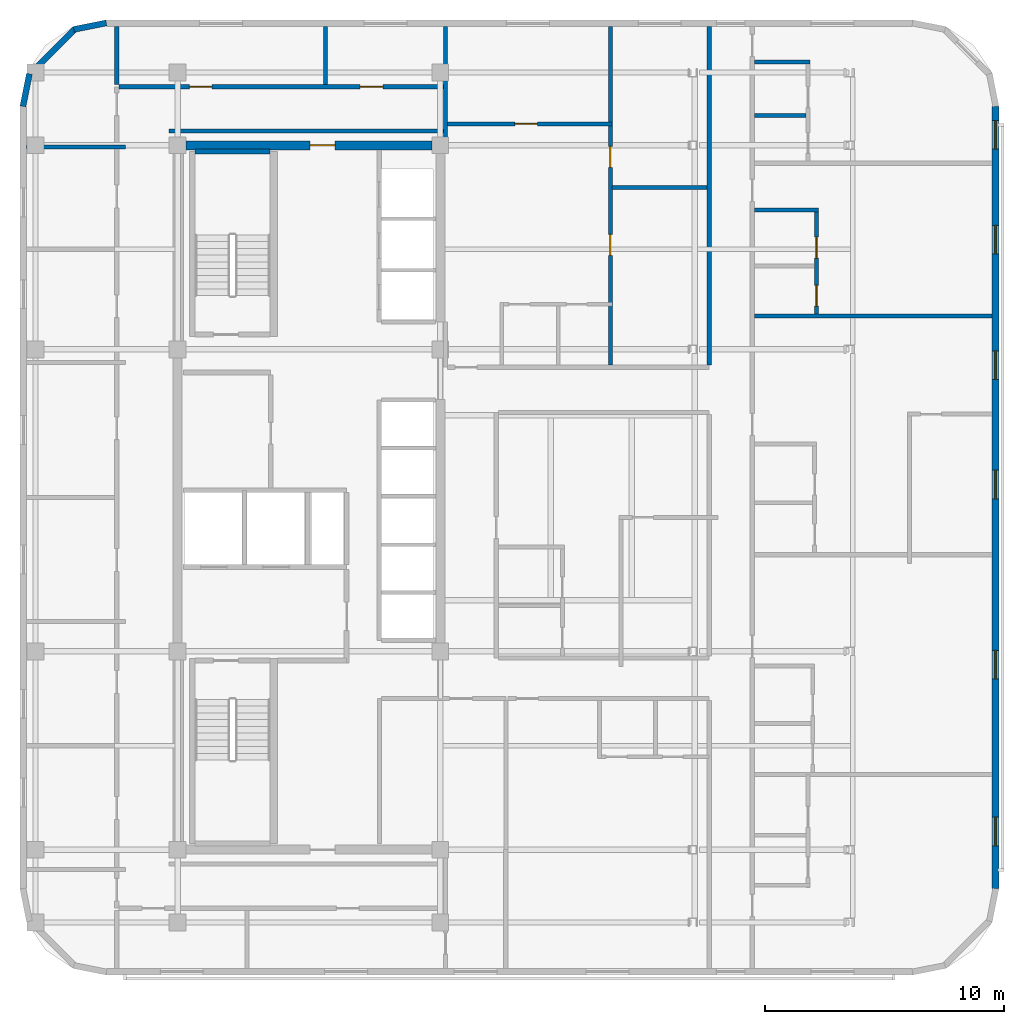
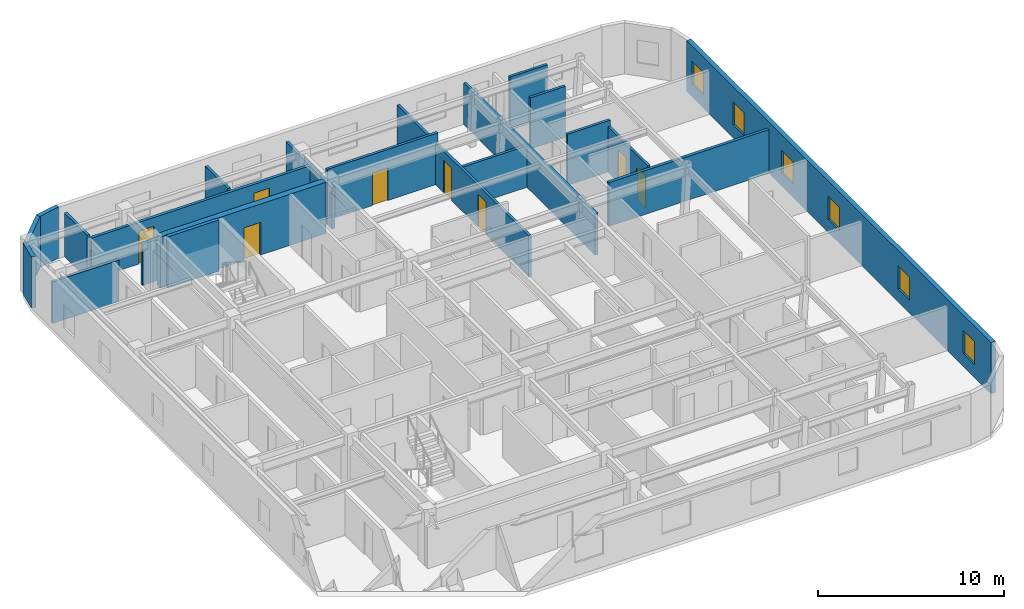
# One storey, part 6 of 10: 21 walls, 8 doors, 6 windows, 14 openings.
"""IFC4 building model written with IfcOpenShell, lengths in metres."""

from ifc_helpers import new_model, si_unit, direction, frame, frame_2d, origin, place, context, subcontext, project, spatial, rectangle, extrude, material, layer, layer_set, type_object, element, fill, save


model = new_model("IFC4")

# Units and contexts
model_context = context("Model", 3, precision=1e-05, world=origin(), true_north=direction((0.0, 1.0)))
body_context = subcontext(model_context, "Body", "Model", "MODEL_VIEW")
ifc_project = project(units=[si_unit("LENGTHUNIT", "METRE"), si_unit("AREAUNIT", "SQUARE_METRE"), si_unit("VOLUMEUNIT", "CUBIC_METRE"), si_unit("PLANEANGLEUNIT", "RADIAN"), si_unit("MASSUNIT", "GRAM", prefix="KILO")], contexts=[model_context])

# Site, building, storey
site_placement = place(None, origin())
site = spatial("IfcSite", under=ifc_project, at=site_placement, CompositionType="ELEMENT")
building_placement = place(site_placement, origin())
building = spatial("IfcBuilding", under=site, at=building_placement, Name="Ochreholt Gables", CompositionType="ELEMENT")
storey_placement = place(building_placement, frame((0.0, 0.0, 166.199951171875)))
storey = spatial("IfcBuildingStorey", under=building, at=storey_placement, Name="L43", CompositionType="ELEMENT", Elevation=166.199951171875)

# Wall, opening, door
ifc_material_1 = material(Name="Concrete 50 MPa", Category="concrete")
ifc_layer_1 = layer(ifc_material_1, 0.3798828125, Name="Concrete 50 MPa")
ifc_layer_set_1 = layer_set([ifc_layer_1], Name="Concrete 50 MPa")
wall_type_1 = type_object("IfcWallType", Name="WALL-CSW-380", PredefinedType="SHEAR", material=ifc_layer_set_1)
wall_1_placement = place(storey_placement, frame((24.550048828125, 38.75, 0.0), z_axis=(0.0, 0.0, 1.0), x_axis=(1.0, 0.0, 0.0)))
wall_1 = element("IfcWall", 1, at=wall_1_placement, inside=storey, type_object=wall_type_1, Name="L43 Core North Shear Wall", PredefinedType="SHEAR", context=body_context, shape_type="SweptSolid", body=[
    extrude(rectangle(XDim=10.300048828125, YDim=0.3798828125, at=frame_2d((5.14990234375, 0.0))), origin(), (0.0, 0.0, 1.0), 3.360107421875),
])
opening_1_placement = place(wall_1_placement, frame((5.199951171875, 0.0, 0.0)))
opening_1 = element("IfcOpeningElement", 2, at=opening_1_placement, cuts=wall_1, Name="Opening D-FLB", PredefinedType="OPENING", context=body_context, shape_type="SweptSolid", body=[
    extrude(rectangle(XDim=1.050048828125, YDim=2.14990234375, at=frame_2d((0.52490234375, 1.074951171875))), frame((0.0, 0.199951171875, 0.0), z_axis=(0.0, -1.0, 0.0), x_axis=(1.0, 0.0, 0.0)), (0.0, 0.0, 1.0), 0.39990234375),
])
ifc_material_2 = material(Name="Hollow Metal Steel", Category="steel")
door_type_1 = type_object("IfcDoorType", Name="DR-INT-FLB1050", OperationType="NOTDEFINED", PredefinedType="DOOR", material=ifc_material_2)
door_1_placement = place(opening_1_placement, frame((1.050048828125, 0.0, 0.0), z_axis=(0.0, 0.0, 1.0), x_axis=(-1.0, 0.0, 0.0)))
door_1 = element("IfcDoor", 3, at=door_1_placement, inside=storey, type_object=door_type_1, Name="L43 Door D-C2CRN-L43", OperationType="SINGLE_SWING_RIGHT", OverallHeight=2.14990234375, OverallWidth=1.050048828125, PredefinedType="DOOR", context=body_context, shape_type="SweptSolid", body=[
    extrude(rectangle(XDim=1.050048828125, YDim=2.14990234375, at=frame_2d((0.52490234375, 1.074951171875))), frame((0.0, 0.02490234375, 0.0), z_axis=(0.0, -1.0, 0.0), x_axis=(1.0, 0.0, 0.0)), (0.0, 0.0, 1.0), 0.050048828125),
])
fill(opening_1, door_1)

# Wall, openings, windows
ifc_material_3 = material(Name="Precast concrete 40 MPa", Category="concrete")
ifc_layer_2 = layer(ifc_material_3, 0.280029296875, Name="Precast concrete 40 MPa")
ifc_layer_set_2 = layer_set([ifc_layer_2], Name="Precast concrete 40 MPa")
wall_type_2 = type_object("IfcWallType", Name="WALL-EXT-280", PredefinedType="SOLIDWALL", material=ifc_layer_set_2)
wall_2_placement = place(storey_placement, frame((58.4599609375, 7.6201171875, 0.0), z_axis=(0.0, 0.0, 1.0), x_axis=(0.0, 1.0, 0.0)))
wall_2 = element("IfcWall", 4, at=wall_2_placement, inside=storey, type_object=wall_type_2, Name="L43 East Exterior Wall", PredefinedType="SOLIDWALL", context=body_context, shape_type="SweptSolid", body=[
    extrude(rectangle(XDim=32.759765625, YDim=0.280029296875, at=frame_2d((16.3798828125, 0.0))), origin(), (0.0, 0.0, 1.0), 3.360107421875),
])
opening_2_placement = place(wall_2_placement, frame((1.7900390625, 0.0, 0.85009765625)))
opening_2 = element("IfcOpeningElement", 5, at=opening_2_placement, cuts=wall_2, Name="Opening WN-3", PredefinedType="OPENING", context=body_context, shape_type="SweptSolid", body=[
    extrude(rectangle(XDim=1.199951171875, YDim=1.5, at=frame_2d((0.60009765625, 0.75))), frame((0.0, 0.14990234375, 0.0), z_axis=(0.0, -1.0, 0.0), x_axis=(1.0, 0.0, 0.0)), (0.0, 0.0, 1.0), 0.300048828125),
])
opening_3_placement = place(wall_2_placement, frame((8.780029296875, 0.0, 0.85009765625)))
opening_3 = element("IfcOpeningElement", 6, at=opening_3_placement, cuts=wall_2, Name="Opening WN-3", PredefinedType="OPENING", context=body_context, shape_type="SweptSolid", body=[
    extrude(rectangle(XDim=1.199951171875, YDim=1.5, at=frame_2d((0.60009765625, 0.75))), frame((0.0, 0.14990234375, 0.0), z_axis=(0.0, -1.0, 0.0), x_axis=(1.0, 0.0, 0.0)), (0.0, 0.0, 1.0), 0.300048828125),
])
opening_4_placement = place(wall_2_placement, frame((16.324951171875, 0.0, 0.85009765625)))
opening_4 = element("IfcOpeningElement", 7, at=opening_4_placement, cuts=wall_2, Name="Opening WN-3", PredefinedType="OPENING", context=body_context, shape_type="SweptSolid", body=[
    extrude(rectangle(XDim=1.199951171875, YDim=1.5, at=frame_2d((0.60009765625, 0.75))), frame((0.0, 0.14990234375, 0.0), z_axis=(0.0, -1.0, 0.0), x_axis=(1.0, 0.0, 0.0)), (0.0, 0.0, 1.0), 0.300048828125),
])
opening_5_placement = place(wall_2_placement, frame((21.324951171875, 0.0, 0.85009765625)))
opening_5 = element("IfcOpeningElement", 8, at=opening_5_placement, cuts=wall_2, Name="Opening WN-3", PredefinedType="OPENING", context=body_context, shape_type="SweptSolid", body=[
    extrude(rectangle(XDim=1.199951171875, YDim=1.5, at=frame_2d((0.60009765625, 0.75))), frame((0.0, 0.14990234375, 0.0), z_axis=(0.0, -1.0, 0.0), x_axis=(1.0, 0.0, 0.0)), (0.0, 0.0, 1.0), 0.300048828125),
])
opening_6_placement = place(wall_2_placement, frame((26.580078125, 0.0, 0.85009765625)))
opening_6 = element("IfcOpeningElement", 9, at=opening_6_placement, cuts=wall_2, Name="Opening WN-3", PredefinedType="OPENING", context=body_context, shape_type="SweptSolid", body=[
    extrude(rectangle(XDim=1.199951171875, YDim=1.5, at=frame_2d((0.60009765625, 0.75))), frame((0.0, 0.14990234375, 0.0), z_axis=(0.0, -1.0, 0.0), x_axis=(1.0, 0.0, 0.0)), (0.0, 0.0, 1.0), 0.300048828125),
])
opening_7_placement = place(wall_2_placement, frame((30.969970703125, 0.0, 0.85009765625)))
opening_7 = element("IfcOpeningElement", 10, at=opening_7_placement, cuts=wall_2, Name="Opening WN-3", PredefinedType="OPENING", context=body_context, shape_type="SweptSolid", body=[
    extrude(rectangle(XDim=1.199951171875, YDim=1.5, at=frame_2d((0.60009765625, 0.75))), frame((0.0, 0.14990234375, 0.0), z_axis=(0.0, -1.0, 0.0), x_axis=(1.0, 0.0, 0.0)), (0.0, 0.0, 1.0), 0.300048828125),
])
ifc_material_4 = material(Name="Triple-Glazed Thermally Broken Aluminium Window", Category="aluminium")
window_type = type_object("IfcWindowType", Name="WIN-RES-1200", PartitioningType="SINGLE_PANEL", PredefinedType="WINDOW", material=ifc_material_4)
window_1_placement = place(opening_2_placement, origin())
window_1 = element("IfcWindow", 11, at=window_1_placement, inside=storey, type_object=window_type, Name="L43 Window W-EXT-E-L43-1", OverallHeight=1.5, OverallWidth=1.199951171875, PartitioningType="SINGLE_PANEL", PredefinedType="WINDOW", context=body_context, shape_type="SweptSolid", body=[
    extrude(rectangle(XDim=1.199951171875, YDim=1.5, at=frame_2d((0.60009765625, 0.75))), frame((0.0, 0.030029296875, 0.0), z_axis=(0.0, -1.0, 0.0), x_axis=(1.0, 0.0, 0.0)), (0.0, 0.0, 1.0), 0.06005859375),
])
fill(opening_2, window_1)
window_2_placement = place(opening_3_placement, origin())
window_2 = element("IfcWindow", 12, at=window_2_placement, inside=storey, type_object=window_type, Name="L43 Window W-EXT-E-L43-2", OverallHeight=1.5, OverallWidth=1.199951171875, PartitioningType="SINGLE_PANEL", PredefinedType="WINDOW", context=body_context, shape_type="SweptSolid", body=[
    extrude(rectangle(XDim=1.199951171875, YDim=1.5, at=frame_2d((0.60009765625, 0.75))), frame((0.0, 0.030029296875, 0.0), z_axis=(0.0, -1.0, 0.0), x_axis=(1.0, 0.0, 0.0)), (0.0, 0.0, 1.0), 0.06005859375),
])
fill(opening_3, window_2)
window_3_placement = place(opening_4_placement, origin())
window_3 = element("IfcWindow", 13, at=window_3_placement, inside=storey, type_object=window_type, Name="L43 Window W-EXT-E-L43-3", OverallHeight=1.5, OverallWidth=1.199951171875, PartitioningType="SINGLE_PANEL", PredefinedType="WINDOW", context=body_context, shape_type="SweptSolid", body=[
    extrude(rectangle(XDim=1.199951171875, YDim=1.5, at=frame_2d((0.60009765625, 0.75))), frame((0.0, 0.030029296875, 0.0), z_axis=(0.0, -1.0, 0.0), x_axis=(1.0, 0.0, 0.0)), (0.0, 0.0, 1.0), 0.06005859375),
])
fill(opening_4, window_3)
window_4_placement = place(opening_5_placement, origin())
window_4 = element("IfcWindow", 14, at=window_4_placement, inside=storey, type_object=window_type, Name="L43 Window W-EXT-E-L43-4", OverallHeight=1.5, OverallWidth=1.199951171875, PartitioningType="SINGLE_PANEL", PredefinedType="WINDOW", context=body_context, shape_type="SweptSolid", body=[
    extrude(rectangle(XDim=1.199951171875, YDim=1.5, at=frame_2d((0.60009765625, 0.75))), frame((0.0, 0.030029296875, 0.0), z_axis=(0.0, -1.0, 0.0), x_axis=(1.0, 0.0, 0.0)), (0.0, 0.0, 1.0), 0.06005859375),
])
fill(opening_5, window_4)
window_5_placement = place(opening_6_placement, origin())
window_5 = element("IfcWindow", 15, at=window_5_placement, inside=storey, type_object=window_type, Name="L43 Window W-EXT-E-L43-5", OverallHeight=1.5, OverallWidth=1.199951171875, PartitioningType="SINGLE_PANEL", PredefinedType="WINDOW", context=body_context, shape_type="SweptSolid", body=[
    extrude(rectangle(XDim=1.199951171875, YDim=1.5, at=frame_2d((0.60009765625, 0.75))), frame((0.0, 0.030029296875, 0.0), z_axis=(0.0, -1.0, 0.0), x_axis=(1.0, 0.0, 0.0)), (0.0, 0.0, 1.0), 0.06005859375),
])
fill(opening_6, window_5)
window_6_placement = place(opening_7_placement, origin())
window_6 = element("IfcWindow", 16, at=window_6_placement, inside=storey, type_object=window_type, Name="L43 Window W-EXT-E-L43-6", OverallHeight=1.5, OverallWidth=1.199951171875, PartitioningType="SINGLE_PANEL", PredefinedType="WINDOW", context=body_context, shape_type="SweptSolid", body=[
    extrude(rectangle(XDim=1.199951171875, YDim=1.5, at=frame_2d((0.60009765625, 0.75))), frame((0.0, 0.030029296875, 0.0), z_axis=(0.0, -1.0, 0.0), x_axis=(1.0, 0.0, 0.0)), (0.0, 0.0, 1.0), 0.06005859375),
])
fill(opening_7, window_6)

# Walls
ifc_layer_3 = layer(ifc_material_3, 0.25, Name="Precast concrete 40 MPa")
ifc_layer_set_3 = layer_set([ifc_layer_3], Name="Precast concrete 40 MPa")
wall_type_3 = type_object("IfcWallType", Name="WALL-EXT-CNR", PredefinedType="SOLIDWALL", material=ifc_layer_set_3)
wall_3_placement = place(storey_placement, frame((21.216552734375, 43.875732421875, 0.0), z_axis=(0.0, 0.0, 1.0), x_axis=(-0.980809899341, -0.19496651342, 0.0)))
element("IfcWall", 17, at=wall_3_placement, inside=storey, type_object=wall_type_3, Name="L43 Rounded Corner Wall NW-1", PredefinedType="SOLIDWALL", context=body_context, shape_type="SweptSolid", body=[
    extrude(rectangle(XDim=1.388671875, YDim=0.25, at=frame_2d((0.6943359375, 0.0))), origin(), (0.0, 0.0, 1.0), 3.360107421875),
])
wall_4_placement = place(storey_placement, frame((19.905029296875, 43.632080078125, 0.0), z_axis=(0.0, 0.0, 1.0), x_axis=(-0.707106781187, -0.707106781187, 0.0)))
element("IfcWall", 18, at=wall_4_placement, inside=storey, type_object=wall_type_3, Name="L43 Rounded Corner Wall NW-2", PredefinedType="SOLIDWALL", context=body_context, shape_type="SweptSolid", body=[
    extrude(rectangle(XDim=2.7392578125, YDim=0.25, at=frame_2d((1.36962890625, 0.0))), origin(), (0.0, 0.0, 1.0), 3.360107421875),
])
wall_5_placement = place(storey_placement, frame((17.9951171875, 41.74560546875, 0.0), z_axis=(0.0, 0.0, 1.0), x_axis=(-0.195135625965, -0.9807762678, 0.0)))
element("IfcWall", 19, at=wall_5_placement, inside=storey, type_object=wall_type_3, Name="L43 Rounded Corner Wall NW-3", PredefinedType="SOLIDWALL", context=body_context, shape_type="SweptSolid", body=[
    extrude(rectangle(XDim=1.388671875, YDim=0.25, at=frame_2d((0.6943359375, 0.0))), origin(), (0.0, 0.0, 1.0), 3.360107421875),
])

# Wall, openings, doors
ifc_material_5 = material(Name="Fire-Rated Gypsum Acoustic Partition", Category="gypsum")
ifc_layer_4 = layer(ifc_material_5, 0.179931640625, Name="Fire-Rated Gypsum Acoustic Partition")
ifc_layer_set_4 = layer_set([ifc_layer_4], Name="Fire-Rated Gypsum Acoustic Partition")
wall_type_4 = type_object("IfcWallType", Name="WALL-INT-CR180", PredefinedType="STANDARD", material=ifc_layer_set_4)
wall_6_placement = place(storey_placement, frame((21.739990234375, 41.199951171875, 0.0), z_axis=(0.0, 0.0, 1.0), x_axis=(1.0, 0.0, 0.0)))
wall_6 = element("IfcWall", 20, at=wall_6_placement, inside=storey, type_object=wall_type_4, Name="L43 Interior Wall WI-C2WCN-L43", PredefinedType="STANDARD", context=body_context, shape_type="SweptSolid", body=[
    extrude(rectangle(XDim=13.679931640625, YDim=0.179931640625, at=frame_2d((6.83984375, 0.0))), origin(), (0.0, 0.0, 1.0), 2.72998046875),
])
opening_8_placement = place(wall_6_placement, frame((2.949951171875, 0.0, 0.0)))
opening_8 = element("IfcOpeningElement", 21, at=opening_8_placement, cuts=wall_6, Name="Opening D-GN1", PredefinedType="OPENING", context=body_context, shape_type="SweptSolid", body=[
    extrude(rectangle(XDim=0.949951171875, YDim=2.14990234375, at=frame_2d((0.47509765625, 1.074951171875))), frame((0.0, 0.099853515625, 0.0), z_axis=(0.0, -1.0, 0.0), x_axis=(1.0, 0.0, 0.0)), (0.0, 0.0, 1.0), 0.199951171875),
])
opening_9_placement = place(wall_6_placement, frame((10.110107421875, 0.0, 0.0)))
opening_9 = element("IfcOpeningElement", 22, at=opening_9_placement, cuts=wall_6, Name="Opening D-GN1", PredefinedType="OPENING", context=body_context, shape_type="SweptSolid", body=[
    extrude(rectangle(XDim=0.949951171875, YDim=2.14990234375, at=frame_2d((0.47509765625, 1.074951171875))), frame((0.0, 0.099853515625, 0.0), z_axis=(0.0, -1.0, 0.0), x_axis=(1.0, 0.0, 0.0)), (0.0, 0.0, 1.0), 0.199951171875),
])
ifc_material_6 = material(Name="Engineered Oak Timber", Category="wood")
door_type_2 = type_object("IfcDoorType", Name="DR-INT-GEN950", OperationType="NOTDEFINED", PredefinedType="DOOR", material=ifc_material_6)
door_2_placement = place(opening_8_placement, origin())
door_2 = element("IfcDoor", 23, at=door_2_placement, inside=storey, type_object=door_type_2, Name="L43 Door D-C2NRS1-L43", OperationType="SINGLE_SWING_RIGHT", OverallHeight=2.14990234375, OverallWidth=0.949951171875, PredefinedType="DOOR", context=body_context, shape_type="SweptSolid", body=[
    extrude(rectangle(XDim=0.949951171875, YDim=2.14990234375, at=frame_2d((0.47509765625, 1.074951171875))), frame((0.0, 0.02490234375, 0.0), z_axis=(0.0, -1.0, 0.0), x_axis=(1.0, 0.0, 0.0)), (0.0, 0.0, 1.0), 0.050048828125),
])
fill(opening_8, door_2)
door_3_placement = place(opening_9_placement, origin())
door_3 = element("IfcDoor", 24, at=door_3_placement, inside=storey, type_object=door_type_2, Name="L43 Door D-C2NRS2-L43", OperationType="SINGLE_SWING_LEFT", OverallHeight=2.14990234375, OverallWidth=0.949951171875, PredefinedType="DOOR", context=body_context, shape_type="SweptSolid", body=[
    extrude(rectangle(XDim=0.949951171875, YDim=2.14990234375, at=frame_2d((0.47509765625, 1.074951171875))), frame((0.0, 0.02490234375, 0.0), z_axis=(0.0, -1.0, 0.0), x_axis=(1.0, 0.0, 0.0)), (0.0, 0.0, 1.0), 0.050048828125),
])
fill(opening_9, door_3)

# Walls
wall_7_placement = place(storey_placement, frame((23.85009765625, 39.35009765625, 0.0), z_axis=(0.0, 0.0, 1.0), x_axis=(1.0, 0.0, 0.0)))
element("IfcWall", 25, at=wall_7_placement, inside=storey, type_object=wall_type_4, Name="L43 Interior Wall WI-C2WCN2-L43", PredefinedType="STANDARD", context=body_context, shape_type="SweptSolid", body=[
    extrude(rectangle(XDim=11.56982421875, YDim=0.179931640625, at=frame_2d((5.784912109375, 0.0))), origin(), (0.0, 0.0, 1.0), 2.72998046875),
])
wall_8_placement = place(storey_placement, frame((46.466064453125, 29.550048828125, 0.0), z_axis=(0.0, 0.0, 1.0), x_axis=(0.0, 1.0, 0.0)))
element("IfcWall", 26, at=wall_8_placement, inside=storey, type_object=wall_type_4, Name="L43 Interior Wall WI-C2FEGW3-L43", PredefinedType="STANDARD", context=body_context, shape_type="SweptSolid", body=[
    extrude(rectangle(XDim=14.169921875, YDim=0.179931640625, at=frame_2d((7.0849609375, 0.0))), origin(), (0.0, 0.0, 1.0), 2.72998046875),
])
ifc_material_7 = material(Name="Double-Stud Acoustic Demising Wall", Category="gypsum")
ifc_layer_5 = layer(ifc_material_7, 0.179931640625, Name="Double-Stud Acoustic Demising Wall")
ifc_layer_set_5 = layer_set([ifc_layer_5], Name="Double-Stud Acoustic Demising Wall")
wall_type_5 = type_object("IfcWallType", Name="WALL-INT-DM180", PredefinedType="PARTITIONING", material=ifc_layer_set_5)
wall_9_placement = place(storey_placement, frame((21.64990234375, 41.2900390625, 0.0), z_axis=(0.0, 0.0, 1.0), x_axis=(0.0, 1.0, 0.0)))
element("IfcWall", 27, at=wall_9_placement, inside=storey, type_object=wall_type_5, Name="L43 Interior Wall WI-C2WWN-L43", PredefinedType="PARTITIONING", context=body_context, shape_type="SweptSolid", body=[
    extrude(rectangle(XDim=2.429931640625, YDim=0.179931640625, at=frame_2d((1.21484375, 0.0))), origin(), (0.0, 0.0, 1.0), 2.879150390625),
])
wall_10_placement = place(storey_placement, frame((35.419921875, 38.75, 0.0), z_axis=(0.0, 0.0, 1.0), x_axis=(0.0, 1.0, 0.0)))
element("IfcWall", 28, at=wall_10_placement, inside=storey, type_object=wall_type_5, Name="L43 Interior Wall WI-C2NEN-L43", PredefinedType="PARTITIONING", context=body_context, shape_type="SweptSolid", body=[
    extrude(rectangle(XDim=4.969970703125, YDim=0.179931640625, at=frame_2d((2.48486328125, 0.0))), origin(), (0.0, 0.0, 1.0), 2.72998046875),
])
wall_11_placement = place(storey_placement, frame((48.35595703125, 31.60009765625, 0.0), z_axis=(0.0, 0.0, 1.0), x_axis=(1.0, 0.0, 0.0)))
element("IfcWall", 29, at=wall_11_placement, inside=storey, type_object=wall_type_5, Name="L43 Interior Wall WI-C2FED4-L43", PredefinedType="PARTITIONING", context=body_context, shape_type="SweptSolid", body=[
    extrude(rectangle(XDim=9.964111328125, YDim=0.179931640625, at=frame_2d((4.98193359375, 0.0))), origin(), (0.0, 0.0, 1.0), 2.879150390625),
])
ifc_material_8 = material(Name="Moisture-Resistant Plumbing Chase Wall", Category="gypsum")
ifc_layer_6 = layer(ifc_material_8, 0.159912109375, Name="Moisture-Resistant Plumbing Chase Wall")
ifc_layer_set_6 = layer_set([ifc_layer_6], Name="Moisture-Resistant Plumbing Chase Wall")
wall_type_6 = type_object("IfcWallType", Name="WALL-INT-PL160", PredefinedType="PLUMBINGWALL", material=ifc_layer_set_6)
wall_12_placement = place(storey_placement, frame((48.35595703125, 36.0400390625, 0.0), z_axis=(0.0, 0.0, 1.0), x_axis=(1.0, 0.0, 0.0)))
element("IfcWall", 30, at=wall_12_placement, inside=storey, type_object=wall_type_6, Name="L43 Interior Wall WU-L43FE4-WYN", PredefinedType="PLUMBINGWALL", context=body_context, shape_type="SweptSolid", body=[
    extrude(rectangle(XDim=2.68212890625, YDim=0.159912109375, at=frame_2d((1.341064453125, 0.0))), origin(), (0.0, 0.0, 1.0), 3.360107421875),
])

# Wall, openings, doors
wall_13_placement = place(storey_placement, frame((50.9580078125, 31.68994140625, 0.0), z_axis=(0.0, 0.0, 1.0), x_axis=(0.0, 1.0, 0.0)))
wall_13 = element("IfcWall", 31, at=wall_13_placement, inside=storey, type_object=wall_type_6, Name="L43 Interior Wall WU-L43FE4-WX", PredefinedType="PLUMBINGWALL", context=body_context, shape_type="SweptSolid", body=[
    extrude(rectangle(XDim=4.43994140625, YDim=0.159912109375, at=frame_2d((2.219970703125, 0.0))), origin(), (0.0, 0.0, 1.0), 2.984130859375),
])
opening_10_placement = place(wall_13_placement, frame((0.330078125, 0.0, 0.0)))
opening_10 = element("IfcOpeningElement", 32, at=opening_10_placement, cuts=wall_13, Name="Opening D-BT1", PredefinedType="OPENING", context=body_context, shape_type="SweptSolid", body=[
    extrude(rectangle(XDim=0.860107421875, YDim=2.1201171875, at=frame_2d((0.43017578125, 1.06005859375))), frame((0.0, 0.08984375, 0.0), z_axis=(0.0, -1.0, 0.0), x_axis=(1.0, 0.0, 0.0)), (0.0, 0.0, 1.0), 0.179931640625),
])
opening_11_placement = place(wall_13_placement, frame((2.3310546875, 0.0, 0.0)))
opening_11 = element("IfcOpeningElement", 33, at=opening_11_placement, cuts=wall_13, Name="Opening D-GN2", PredefinedType="OPENING", context=body_context, shape_type="SweptSolid", body=[
    extrude(rectangle(XDim=0.8798828125, YDim=2.1201171875, at=frame_2d((0.43994140625, 1.06005859375))), frame((0.0, 0.08984375, 0.0), z_axis=(0.0, -1.0, 0.0), x_axis=(1.0, 0.0, 0.0)), (0.0, 0.0, 1.0), 0.179931640625),
])
door_type_3 = type_object("IfcDoorType", Name="DR-INT-BTH860", OperationType="NOTDEFINED", PredefinedType="DOOR", material=ifc_material_6)
door_4_placement = place(opening_10_placement, origin())
door_4 = element("IfcDoor", 34, at=door_4_placement, inside=storey, type_object=door_type_3, Name="L43 Door D-U-L43FE4-BTH", OperationType="SINGLE_SWING_LEFT", OverallHeight=2.1201171875, OverallWidth=0.860107421875, PredefinedType="DOOR", context=body_context, shape_type="SweptSolid", body=[
    extrude(rectangle(XDim=0.860107421875, YDim=2.1201171875, at=frame_2d((0.43017578125, 1.06005859375))), frame((0.0, 0.02490234375, 0.0), z_axis=(0.0, -1.0, 0.0), x_axis=(1.0, 0.0, 0.0)), (0.0, 0.0, 1.0), 0.050048828125),
])
fill(opening_10, door_4)
door_type_4 = type_object("IfcDoorType", Name="DR-INT-GEN880", OperationType="NOTDEFINED", PredefinedType="DOOR", material=ifc_material_6)
door_5_placement = place(opening_11_placement, origin())
door_5 = element("IfcDoor", 35, at=door_5_placement, inside=storey, type_object=door_type_4, Name="L43 Door D-U-L43FE4-KIT", OperationType="SINGLE_SWING_RIGHT", OverallHeight=2.1201171875, OverallWidth=0.8798828125, PredefinedType="DOOR", context=body_context, shape_type="SweptSolid", body=[
    extrude(rectangle(XDim=0.8798828125, YDim=2.1201171875, at=frame_2d((0.43994140625, 1.06005859375))), frame((0.0, 0.02490234375, 0.0), z_axis=(0.0, -1.0, 0.0), x_axis=(1.0, 0.0, 0.0)), (0.0, 0.0, 1.0), 0.050048828125),
])
fill(opening_11, door_5)

# Walls
wall_14_placement = place(storey_placement, frame((48.35595703125, 42.239990234375, 0.0), z_axis=(0.0, 0.0, 1.0), x_axis=(1.0, 0.0, 0.0)))
element("IfcWall", 36, at=wall_14_placement, inside=storey, type_object=wall_type_6, Name="L43 Interior Wall WU-L43FE5-WYN", PredefinedType="PLUMBINGWALL", context=body_context, shape_type="SweptSolid", body=[
    extrude(rectangle(XDim=2.330078125, YDim=0.159912109375, at=frame_2d((1.1650390625, 0.0))), origin(), (0.0, 0.0, 1.0), 3.360107421875),
])
wall_15_placement = place(storey_placement, frame((48.35595703125, 39.9990234375, 0.0), z_axis=(0.0, 0.0, 1.0), x_axis=(1.0, 0.0, 0.0)))
element("IfcWall", 37, at=wall_15_placement, inside=storey, type_object=wall_type_6, Name="L43 Interior Wall WU-L43FE5-WM", PredefinedType="PLUMBINGWALL", context=body_context, shape_type="SweptSolid", body=[
    extrude(rectangle(XDim=2.169921875, YDim=0.159912109375, at=frame_2d((1.0849609375, 0.0))), origin(), (0.0, 0.0, 1.0), 3.360107421875),
])

# Wall, openings, doors
ifc_material_9 = material(Name="Gypsum Acoustic Stud Partition", Category="gypsum")
ifc_layer_7 = layer(ifc_material_9, 0.1650390625, Name="Gypsum Acoustic Stud Partition")
ifc_layer_set_7 = layer_set([ifc_layer_7], Name="Gypsum Acoustic Stud Partition")
wall_type_7 = type_object("IfcWallType", Name="WALL-INT-PT165", PredefinedType="PARTITIONING", material=ifc_layer_set_7)
wall_16_placement = place(storey_placement, frame((42.325927734375, 29.550048828125, 0.0), z_axis=(0.0, 0.0, 1.0), x_axis=(0.0, 1.0, 0.0)))
wall_16 = element("IfcWall", 38, at=wall_16_placement, inside=storey, type_object=wall_type_7, Name="L43 Interior Wall WU-L43N1-MNX", PredefinedType="PARTITIONING", context=body_context, shape_type="SweptSolid", body=[
    extrude(rectangle(XDim=14.169921875, YDim=0.1650390625, at=frame_2d((7.0849609375, 0.0))), origin(), (0.0, 0.0, 1.0), 2.72998046875),
])
opening_12_placement = place(wall_16_placement, frame((4.592529296875, 0.0, 0.0)))
opening_12 = element("IfcOpeningElement", 39, at=opening_12_placement, cuts=wall_16, Name="Opening D-BD2", PredefinedType="OPENING", context=body_context, shape_type="SweptSolid", body=[
    extrude(rectangle(XDim=0.8798828125, YDim=2.139892578125, at=frame_2d((0.43994140625, 1.06982421875))), frame((0.0, 0.092529296875, 0.0), z_axis=(0.0, -1.0, 0.0), x_axis=(1.0, 0.0, 0.0)), (0.0, 0.0, 1.0), 0.18505859375),
])
opening_13_placement = place(wall_16_placement, frame((8.280029296875, 0.0, 0.0)))
opening_13 = element("IfcOpeningElement", 40, at=opening_13_placement, cuts=wall_16, Name="Opening D-GN2", PredefinedType="OPENING", context=body_context, shape_type="SweptSolid", body=[
    extrude(rectangle(XDim=0.8798828125, YDim=2.1201171875, at=frame_2d((0.43994140625, 1.06005859375))), frame((0.0, 0.092529296875, 0.0), z_axis=(0.0, -1.0, 0.0), x_axis=(1.0, 0.0, 0.0)), (0.0, 0.0, 1.0), 0.18505859375),
])
door_type_5 = type_object("IfcDoorType", Name="DR-INT-BED880", OperationType="NOTDEFINED", PredefinedType="DOOR", material=ifc_material_6)
door_6_placement = place(opening_12_placement, origin())
door_6 = element("IfcDoor", 41, at=door_6_placement, inside=storey, type_object=door_type_5, Name="L43 Door D-U-L43N1-BD1", OperationType="SINGLE_SWING_LEFT", OverallHeight=2.139892578125, OverallWidth=0.8798828125, PredefinedType="DOOR", context=body_context, shape_type="SweptSolid", body=[
    extrude(rectangle(XDim=0.8798828125, YDim=2.139892578125, at=frame_2d((0.43994140625, 1.06982421875))), frame((0.0, 0.02490234375, 0.0), z_axis=(0.0, -1.0, 0.0), x_axis=(1.0, 0.0, 0.0)), (0.0, 0.0, 1.0), 0.050048828125),
])
fill(opening_12, door_6)
door_7_placement = place(opening_13_placement, origin())
door_7 = element("IfcDoor", 42, at=door_7_placement, inside=storey, type_object=door_type_4, Name="L43 Door D-U-L43N1-BD2", OperationType="SINGLE_SWING_RIGHT", OverallHeight=2.1201171875, OverallWidth=0.8798828125, PredefinedType="DOOR", context=body_context, shape_type="SweptSolid", body=[
    extrude(rectangle(XDim=0.8798828125, YDim=2.1201171875, at=frame_2d((0.43994140625, 1.06005859375))), frame((0.0, 0.02490234375, 0.0), z_axis=(0.0, -1.0, 0.0), x_axis=(1.0, 0.0, 0.0)), (0.0, 0.0, 1.0), 0.050048828125),
])
fill(opening_13, door_7)

# Wall, opening, door
wall_17_placement = place(storey_placement, frame((35.510009765625, 39.64990234375, 0.0), z_axis=(0.0, 0.0, 1.0), x_axis=(1.0, 0.0, 0.0)))
wall_17 = element("IfcWall", 43, at=wall_17_placement, inside=storey, type_object=wall_type_7, Name="L43 Interior Wall WU-L43N1-DNY", PredefinedType="PARTITIONING", context=body_context, shape_type="SweptSolid", body=[
    extrude(rectangle(XDim=6.89599609375, YDim=0.1650390625, at=frame_2d((3.447998046875, 0.0))), origin(), (0.0, 0.0, 1.0), 3.360107421875),
])
opening_14_placement = place(wall_17_placement, frame((2.81298828125, 0.0, 0.0)))
opening_14 = element("IfcOpeningElement", 44, at=opening_14_placement, cuts=wall_17, Name="Opening D-GN1", PredefinedType="OPENING", context=body_context, shape_type="SweptSolid", body=[
    extrude(rectangle(XDim=0.949951171875, YDim=2.14990234375, at=frame_2d((0.47509765625, 1.074951171875))), frame((0.0, 0.092529296875, 0.0), z_axis=(0.0, -1.0, 0.0), x_axis=(1.0, 0.0, 0.0)), (0.0, 0.0, 1.0), 0.18505859375),
])
door_8_placement = place(opening_14_placement, origin())
door_8 = element("IfcDoor", 45, at=door_8_placement, inside=storey, type_object=door_type_2, Name="L43 Door D-U-L43N1-DIN", OperationType="SINGLE_SWING_RIGHT", OverallHeight=2.14990234375, OverallWidth=0.949951171875, PredefinedType="DOOR", context=body_context, shape_type="SweptSolid", body=[
    extrude(rectangle(XDim=0.949951171875, YDim=2.14990234375, at=frame_2d((0.47509765625, 1.074951171875))), frame((0.0, 0.02490234375, 0.0), z_axis=(0.0, -1.0, 0.0), x_axis=(1.0, 0.0, 0.0)), (0.0, 0.0, 1.0), 0.050048828125),
])
fill(opening_14, door_8)

# Walls
wall_18_placement = place(storey_placement, frame((42.406005859375, 36.97998046875, 0.0), z_axis=(0.0, 0.0, 1.0), x_axis=(1.0, 0.0, 0.0)))
element("IfcWall", 46, at=wall_18_placement, inside=storey, type_object=wall_type_7, Name="L43 Interior Wall WU-L43N1-RDV", PredefinedType="PARTITIONING", context=body_context, shape_type="SweptSolid", body=[
    extrude(rectangle(XDim=3.969970703125, YDim=0.1650390625, at=frame_2d((1.98486328125, 0.0))), origin(), (0.0, 0.0, 1.0), 2.72998046875),
])
wall_19_placement = place(storey_placement, frame((17.8798828125, 38.675048828125, 0.0), z_axis=(0.0, 0.0, 1.0), x_axis=(1.0, 0.0, 0.0)))
element("IfcWall", 47, at=wall_19_placement, inside=storey, type_object=wall_type_7, Name="L43 Interior Wall WU-L43W4-SDV", PredefinedType="PARTITIONING", context=body_context, shape_type="SweptSolid", body=[
    extrude(rectangle(XDim=4.130126953125, YDim=0.1650390625, at=frame_2d((2.06494140625, 0.0))), origin(), (0.0, 0.0, 1.0), 2.72998046875),
])
wall_20_placement = place(storey_placement, frame((30.39990234375, 41.2900390625, 0.0), z_axis=(0.0, 0.0, 1.0), x_axis=(0.0, 1.0, 0.0)))
element("IfcWall", 48, at=wall_20_placement, inside=storey, type_object=wall_type_7, Name="L43 Interior Wall WI-C2PKN-L43", PredefinedType="PARTITIONING", context=body_context, shape_type="SweptSolid", body=[
    extrude(rectangle(XDim=2.429931640625, YDim=0.1650390625, at=frame_2d((1.21484375, 0.0))), origin(), (0.0, 0.0, 1.0), 2.879150390625),
])
ifc_layer_8 = layer(ifc_material_1, 0.219970703125, Name="Concrete 50 MPa")
ifc_layer_set_8 = layer_set([ifc_layer_8], Name="Concrete 50 MPa")
wall_type_8 = type_object("IfcWallType", Name="WALL-STW-220", PredefinedType="SHEAR", material=ifc_layer_set_8)
wall_21_placement = place(storey_placement, frame((24.919921875, 38.489990234375, 0.0), z_axis=(0.0, 0.0, 1.0), x_axis=(1.0, 0.0, 0.0)))
element("IfcWall", 49, at=wall_21_placement, inside=storey, type_object=wall_type_8, Name="L43 Exit Stair 2 North Wall", PredefinedType="SHEAR", context=body_context, shape_type="SweptSolid", body=[
    extrude(rectangle(XDim=3.16015625, YDim=0.219970703125, at=frame_2d((1.580078125, 0.0))), origin(), (0.0, 0.0, 1.0), 3.360107421875),
])

save(model, "model.ifc")
